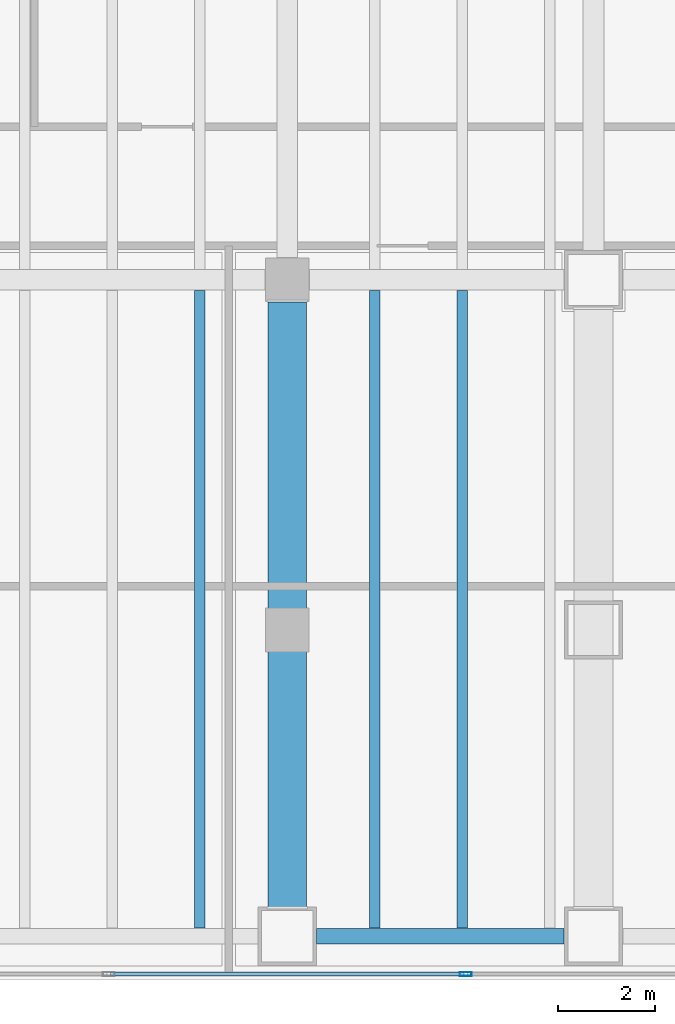
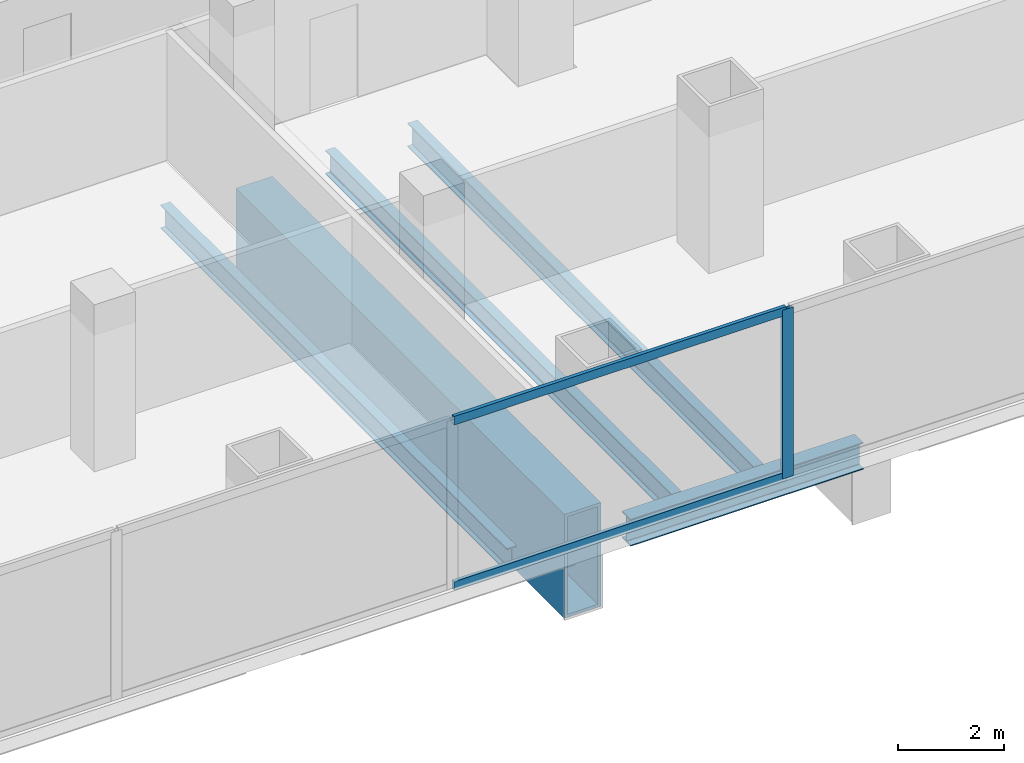
# One storey, part 6 of 34: 5 beams, 3 members, 1 element without a shape of its own.
"""IFC4 building model written with IfcOpenShell, lengths in metres."""

import ifcopenshell
import ifcopenshell.guid

model = None  # the IFC model being written
_history = None  # IfcOwnerHistory: only IFC2X3 demands one
_inside = {}  # id of a spatial element -> (the spatial element, [elements in it])
_under = {}  # id of a project, library or spatial element -> (it, [spatial elements below it])
_declared = {}  # id of a project -> (the project, [libraries it declares])
_typed = {}  # id of a type object -> (the type object, [elements of that type])
_made_of = {}  # id of a material, layer set ... -> (it, [elements and type objects made of it])


def new_model(schema):
    """Start an empty IFC model of exactly this schema.

    Asked for "IFC4X3", IfcOpenShell would pick the latest addendum, in which some entities
    have other attributes; the version numbers below select the first issue.
    IFC2X3 requires an IfcOwnerHistory on every rooted entity: one is made here for all.
    """
    global model, _history
    if schema == "IFC4X3":
        model = ifcopenshell.file(schema_version=(4, 3, 0, 0))
    else:
        model = ifcopenshell.file(schema=schema)
    _inside.clear()
    _under.clear()
    _declared.clear()
    _typed.clear()
    _made_of.clear()
    _history = None
    if model.schema == "IFC2X3":
        org = make("IfcOrganization", Name="unknown")
        user = make(
            "IfcPersonAndOrganization",
            ThePerson=make("IfcPerson", FamilyName="unknown"),
            TheOrganization=org,
        )
        app = make(
            "IfcApplication",
            ApplicationDeveloper=org,
            Version="unknown",
            ApplicationFullName="unknown",
            ApplicationIdentifier="unknown",
        )
        _history = make(
            "IfcOwnerHistory",
            OwningUser=user,
            OwningApplication=app,
            ChangeAction="ADDED",
            CreationDate=0,
        )
    return model


def make(cls, **values):
    """One entity of the class cls with the attributes given. An attribute that is None is left unset."""
    return model.create_entity(
        cls, **{name: value for name, value in values.items() if value is not None}
    )


def rooted(cls, **values):
    """An entity with a GlobalId (a new one), such as an element, a storey or a relation."""
    return make(cls, GlobalId=ifcopenshell.guid.new(), OwnerHistory=_history, **values)


def si_unit(unit_type, name, prefix=None):
    """IfcSIUnit, for example si_unit("LENGTHUNIT", "METRE", prefix="MILLI")."""
    return make("IfcSIUnit", UnitType=unit_type, Prefix=prefix, Name=name)


def assignment(units):
    """IfcUnitAssignment: the units of a project."""
    return None if units is None else make("IfcUnitAssignment", Units=units)


def point(xyz):
    """IfcCartesianPoint."""
    return None if xyz is None else make("IfcCartesianPoint", Coordinates=xyz)


def direction(xyz):
    """IfcDirection."""
    return None if xyz is None else make("IfcDirection", DirectionRatios=xyz)


def frame(location, z_axis=None, x_axis=None):
    """IfcAxis2Placement3D, a coordinate frame: its origin and axes. An axis left out is left unset."""
    return make(
        "IfcAxis2Placement3D",
        Location=point(location),
        Axis=direction(z_axis),
        RefDirection=direction(x_axis),
    )


def frame_2d(location, x_axis=None):
    """IfcAxis2Placement2D, a coordinate frame in the plane: its origin and x axis."""
    return make(
        "IfcAxis2Placement2D", Location=point(location), RefDirection=direction(x_axis)
    )


def origin():
    """The frame at (0, 0, 0) with its axes left unset."""
    return frame((0.0, 0.0, 0.0))


def origin_2d():
    """The frame at (0, 0) in the plane with its x axis left unset."""
    return frame_2d((0.0, 0.0))


def place(relative_to, where):
    """IfcLocalPlacement: puts the frame where relative to a parent placement (None: the world)."""
    return make(
        "IfcLocalPlacement", PlacementRelTo=relative_to, RelativePlacement=where
    )


def context(
    kind, dimensions, precision=None, world=None, true_north=None, identifier=None
):
    """IfcGeometricRepresentationContext, for example the 3D "Model" context."""
    return make(
        "IfcGeometricRepresentationContext",
        ContextIdentifier=identifier,
        ContextType=kind,
        CoordinateSpaceDimension=dimensions,
        Precision=precision,
        WorldCoordinateSystem=world,
        TrueNorth=true_north,
    )


def subcontext(parent, identifier, kind, view, scale=None):
    """IfcGeometricRepresentationSubContext, for example "Body" below "Model"."""
    return make(
        "IfcGeometricRepresentationSubContext",
        ContextIdentifier=identifier,
        ContextType=kind,
        ParentContext=parent,
        TargetScale=scale,
        TargetView=view,
    )


def project(units=None, contexts=None):
    """IfcProject with its units and contexts."""
    return rooted(
        "IfcProject",
        Name="project",
        RepresentationContexts=contexts,
        UnitsInContext=assignment(units),
    )


def spatial(cls, under=None, at=None, **own):
    """A site, building, storey or space (cls), placed at a placement, below another one or the project."""
    s = rooted(cls, ObjectPlacement=at, **own)
    if under is not None:
        _under.setdefault(under.id(), (under, []))[1].append(s)
    return s


def profile(cls, at=None, kind="AREA", **sizes):
    """A parametric profile (cls). Its sizes go by their IFC names, for example OverallWidth=200.0."""
    return make(cls, ProfileType=kind, Position=at, **sizes)


def hollow_rectangle(**sizes):
    """IfcRectangleHollowProfileDef."""
    return profile("IfcRectangleHollowProfileDef", **sizes)


def i_section(**sizes):
    """IfcIShapeProfileDef."""
    return profile("IfcIShapeProfileDef", **sizes)


def extrude(swept, where, along, depth):
    """IfcExtrudedAreaSolid: the profile swept, set in the frame where, extruded along a direction by depth."""
    return make(
        "IfcExtrudedAreaSolid",
        SweptArea=swept,
        Position=where,
        ExtrudedDirection=direction(along),
        Depth=depth,
    )


def shape(context_of_items, identifier, shape_type, items):
    """IfcShapeRepresentation: the items that make up one representation, for example the "Body"."""
    return make(
        "IfcShapeRepresentation",
        ContextOfItems=context_of_items,
        RepresentationIdentifier=identifier,
        RepresentationType=shape_type,
        Items=items,
    )


def material(Name=None, Category=None):
    """IfcMaterial."""
    return make("IfcMaterial", Name=Name, Category=Category)


def material_profile(
    of_material, cross_section, Name=None, Category=None, Priority=None
):
    """IfcMaterialProfile: a cross section and its material."""
    return make(
        "IfcMaterialProfile",
        Name=Name,
        Material=of_material,
        Profile=cross_section,
        Priority=Priority,
        Category=Category,
    )


def profile_set(profiles, Name=None, composite=None):
    """IfcMaterialProfileSet."""
    return make(
        "IfcMaterialProfileSet",
        Name=Name,
        MaterialProfiles=profiles,
        CompositeProfile=composite,
    )


def made_of(thing, what):
    """Note that an element or type object is made of a material, layer set ...; save() writes the relation."""
    if what is not None:
        _made_of.setdefault(what.id(), (what, []))[1].append(thing)
    return thing


def type_object(cls, material=None, **own):
    """A type object (cls), such as IfcWallType, which elements share."""
    return made_of(rooted(cls, **own), material)


def element(
    cls,
    number,
    at=None,
    inside=None,
    cuts=None,
    type_object=None,
    material=None,
    context=None,
    identifier="Body",
    shape_type=None,
    held_by="IfcProductDefinitionShape",
    body=None,
    shapes=None,
    **own,
):
    """One element of the class cls, such as IfcWall. Its Tag is "e" and its number.

    at: its placement. inside: the storey or other place that contains it. cuts: it is an
    opening in that element (IfcRelVoidsElement). A single representation is given by context,
    identifier, shape_type and body (its items); several are given by shapes. held_by: the class
    of the entity that holds the representations. save() writes the other relations.
    """
    e = rooted(cls, Tag="e%d" % number, ObjectPlacement=at, **own)
    if body is not None:
        shapes = [shape(context, identifier, shape_type, body)]
    if shapes is not None:
        e.Representation = make(held_by, Representations=shapes)
    if inside is not None:
        _inside.setdefault(inside.id(), (inside, []))[1].append(e)
    if cuts is not None:
        rooted(
            "IfcRelVoidsElement", RelatingBuildingElement=cuts, RelatedOpeningElement=e
        )
    if type_object is not None:
        _typed.setdefault(type_object.id(), (type_object, []))[1].append(e)
    return made_of(e, material)


def aggregate(whole, parts):
    """IfcRelAggregates: a whole, such as a stair, and the parts it consists of."""
    return rooted("IfcRelAggregates", RelatingObject=whole, RelatedObjects=parts)


def save(model, path):
    """Write the relations noted so far, then the file.

    IfcRelAggregates (storeys below a building ...), IfcRelContainedInSpatialStructure (elements
    in a storey), IfcRelDefinesByType, IfcRelAssociatesMaterial and IfcRelDeclares: one each for
    every whole, place, type object, material and project.
    """
    for whole, parts in _under.values():
        aggregate(whole, parts)
    for where, things in _inside.values():
        rooted(
            "IfcRelContainedInSpatialStructure",
            RelatedElements=things,
            RelatingStructure=where,
        )
    for kind, things in _typed.values():
        rooted("IfcRelDefinesByType", RelatedObjects=things, RelatingType=kind)
    for what, things in _made_of.values():
        rooted("IfcRelAssociatesMaterial", RelatedObjects=things, RelatingMaterial=what)
    for by, libraries in _declared.values():
        rooted("IfcRelDeclares", RelatingContext=by, RelatedDefinitions=libraries)
    model.write(path)


model = new_model("IFC4")

# Units and contexts
model_context = context("Model", 3, precision=1e-05, world=origin(), true_north=direction((0.0, 1.0)))
body_context = subcontext(model_context, "Body", "Model", "MODEL_VIEW")
ifc_project = project(units=[si_unit("LENGTHUNIT", "METRE"), si_unit("AREAUNIT", "SQUARE_METRE"), si_unit("VOLUMEUNIT", "CUBIC_METRE"), si_unit("PLANEANGLEUNIT", "RADIAN"), si_unit("MASSUNIT", "GRAM", prefix="KILO")], contexts=[model_context])

# Site, building, storey
site_placement = place(None, origin())
site = spatial("IfcSite", under=ifc_project, at=site_placement, CompositionType="ELEMENT")
building_placement = place(site_placement, origin())
building = spatial("IfcBuilding", under=site, at=building_placement, Name="Cobrela Telecom Tower", CompositionType="ELEMENT")
storey_placement = place(building_placement, frame((0.0, 0.0, 5.25)))
storey = spatial("IfcBuildingStorey", under=building, at=storey_placement, Name="L01", CompositionType="ELEMENT", Elevation=5.25)

# Beams
ifc_material_1 = material(Name="Steel ASTM A992 Grade 50", Category="steel")
ifc_material_profile_1 = material_profile(ifc_material_1, i_section(OverallWidth=0.212890625, OverallDepth=0.549072265625, WebThickness=0.0146484375, FlangeThickness=0.023681640625, FilletRadius=0.013916015625, at=origin_2d()), Name="W21X93")
ifc_profile_set_1 = profile_set([ifc_material_profile_1], Name="Steel ASTM A992 Grade 50")
beam_type_1 = type_object("IfcBeamType", Name="BM-JOIST-01", PredefinedType="JOIST", material=ifc_profile_set_1)
for number, where, z_axis, x_axis, name in (
    (1, (41.39990234375, 1.069091796875, -0.574462890625), (0.0, 1.0, 0.0), (-1.0, 0.0, 0.0), "L01 Secondary Composite Floor Beam J82"),
    (2, (45.0, 1.069091796875, -0.574462890625), (0.0, 1.0, 0.0), (-1.0, 0.0, 0.0), "L01 Secondary Composite Floor Beam J88"),
    (3, (46.800048828125, 1.069091796875, -0.574462890625), (0.0, 1.0, 0.0), (-1.0, 0.0, 0.0), "L01 Secondary Composite Floor Beam J90"),
):
    element("IfcBeam", number, at=place(storey_placement, frame(where, z_axis=z_axis, x_axis=x_axis)), inside=storey, type_object=beam_type_1, Name=name, PredefinedType="JOIST", context=body_context, shape_type="SweptSolid", body=[
        extrude(i_section(OverallWidth=0.212890625, OverallDepth=0.549072265625, WebThickness=0.0146484375, FlangeThickness=0.023681640625, FilletRadius=0.013916015625, at=origin_2d()), origin(), (0.0, 0.0, 1.0), 13.114013671875),
    ])
ifc_material_profile_2 = material_profile(ifc_material_1, i_section(OverallWidth=0.327880859375, OverallDepth=0.6220703125, WebThickness=0.015380859375, FlangeThickness=0.0244140625, FilletRadius=0.014892578125, at=origin_2d()), Name="W24X131")
ifc_profile_set_2 = profile_set([ifc_material_profile_2], Name="Steel ASTM A992 Grade 50")
beam_type_2 = type_object("IfcBeamType", Name="BM-SPAND-01", PredefinedType="SPANDREL", material=ifc_profile_set_2)
beam_1_placement = place(storey_placement, frame((43.804931640625, 0.89990234375, -0.611083984375), z_axis=(1.0, 0.0, 0.0), x_axis=(0.0, 1.0, 0.0)))
element("IfcBeam", 4, at=beam_1_placement, inside=storey, type_object=beam_type_2, Name="L01 Perimeter Spandrel X05", PredefinedType="SPANDREL", context=body_context, shape_type="SweptSolid", body=[
    extrude(i_section(OverallWidth=0.327880859375, OverallDepth=0.6220703125, WebThickness=0.015380859375, FlangeThickness=0.0244140625, FilletRadius=0.014892578125, at=origin_2d()), origin(), (0.0, 0.0, 1.0), 5.090087890625),
])
ifc_material_2 = material(Name="Steel ASTM A572 Grade 50", Category="steel")
ifc_material_profile_3 = material_profile(ifc_material_2, hollow_rectangle(XDim=0.800048828125, YDim=2.39990234375, WallThickness=0.070068359375, at=origin_2d()), Name="BOX 2400x800x70")
ifc_profile_set_3 = profile_set([ifc_material_profile_3], Name="Steel ASTM A572 Grade 50")
beam_type_3 = type_object("IfcBeamType", Name="BM-TRG-2400", PredefinedType="USERDEFINED", material=ifc_profile_set_3)
beam_2_placement = place(storey_placement, frame((43.199951171875, 1.5048828125, -1.5), z_axis=(0.0, 1.0, 0.0), x_axis=(-1.0, 0.0, 0.0)))
element("IfcBeam", 5, at=beam_2_placement, inside=storey, type_object=beam_type_3, Name="L01 Transfer Girder 01", ObjectType="GIRDER", PredefinedType="USERDEFINED", context=body_context, shape_type="SweptSolid", body=[
    extrude(hollow_rectangle(XDim=0.800048828125, YDim=2.39990234375, WallThickness=0.070068359375, at=origin_2d()), origin(), (0.0, 0.0, 1.0), 12.440185546875),
])

# Curtain wall, members
ifc_material_3 = material(Name="Anodized Bronze Aluminium 6063-T6", Category="aluminium")
curtain_wall_type = type_object("IfcCurtainWallType", Name="CW-SYS-CONC", PredefinedType="USERDEFINED", material=ifc_material_3)
curtain_wall_placement = place(storey_placement, origin())
curtain_wall = element("IfcCurtainWall", 6, at=curtain_wall_placement, inside=storey, type_object=curtain_wall_type, Name="L01 Unitised Bronze Curtain Wall 17", ObjectType="UNITISED CURTAIN WALL", PredefinedType="USERDEFINED")
ifc_material_profile_4 = material_profile(ifc_material_3, hollow_rectangle(XDim=0.080078125, YDim=0.239990234375, WallThickness=0.0048828125, at=origin_2d()), Name="ALU 80x240x5")
ifc_profile_set_4 = profile_set([ifc_material_profile_4], Name="Anodized Bronze Aluminium 6063-T6")
member_type_1 = type_object("IfcMemberType", Name="CW-SYS-CONC-MUL", PredefinedType="MULLION", material=ifc_profile_set_4)
member_1_placement = place(storey_placement, frame((46.870849609375, 0.1201171875, 0.0), z_axis=(0.0, 0.0, 1.0), x_axis=(0.0, -1.0, 0.0)))
member_1 = element("IfcMember", 7, at=member_1_placement, type_object=member_type_1, Name="CW-CONC mullion 6", PredefinedType="MULLION", context=body_context, shape_type="SweptSolid", body=[
    extrude(hollow_rectangle(XDim=0.080078125, YDim=0.239990234375, WallThickness=0.0048828125, at=origin_2d()), origin(), (0.0, 0.0, 1.0), 3.89990234375),
])
ifc_material_profile_5 = material_profile(ifc_material_3, hollow_rectangle(XDim=0.080078125, YDim=0.199951171875, WallThickness=0.00390625, at=origin_2d()), Name="ALU 80x200x4")
ifc_profile_set_5 = profile_set([ifc_material_profile_5], Name="Anodized Bronze Aluminium 6063-T6")
member_type_2 = type_object("IfcMemberType", Name="CW-SYS-CONC-TRN", PredefinedType="USERDEFINED", material=ifc_profile_set_5)
member_2_placement = place(storey_placement, frame((46.830810546875, 0.1201171875, 0.0400390625), z_axis=(-1.0, 0.0, 0.0), x_axis=(0.0, -1.0, 0.0)))
member_2 = element("IfcMember", 8, at=member_2_placement, type_object=member_type_2, Name="CW-CONC transom 6.1", ObjectType="TRANSOM", PredefinedType="USERDEFINED", context=body_context, shape_type="SweptSolid", body=[
    extrude(hollow_rectangle(XDim=0.080078125, YDim=0.199951171875, WallThickness=0.00390625, at=origin_2d()), origin(), (0.0, 0.0, 1.0), 7.26171875),
])
member_3_placement = place(storey_placement, frame((46.830810546875, 0.1201171875, 3.860107421875), z_axis=(-1.0, 0.0, 0.0), x_axis=(0.0, -1.0, 0.0)))
member_3 = element("IfcMember", 9, at=member_3_placement, type_object=member_type_2, Name="CW-CONC transom 6.2", ObjectType="TRANSOM", PredefinedType="USERDEFINED", context=body_context, shape_type="SweptSolid", body=[
    extrude(hollow_rectangle(XDim=0.080078125, YDim=0.199951171875, WallThickness=0.00390625, at=origin_2d()), origin(), (0.0, 0.0, 1.0), 7.26171875),
])
aggregate(curtain_wall, [member_1, member_2, member_3])

save(model, "model.ifc")
